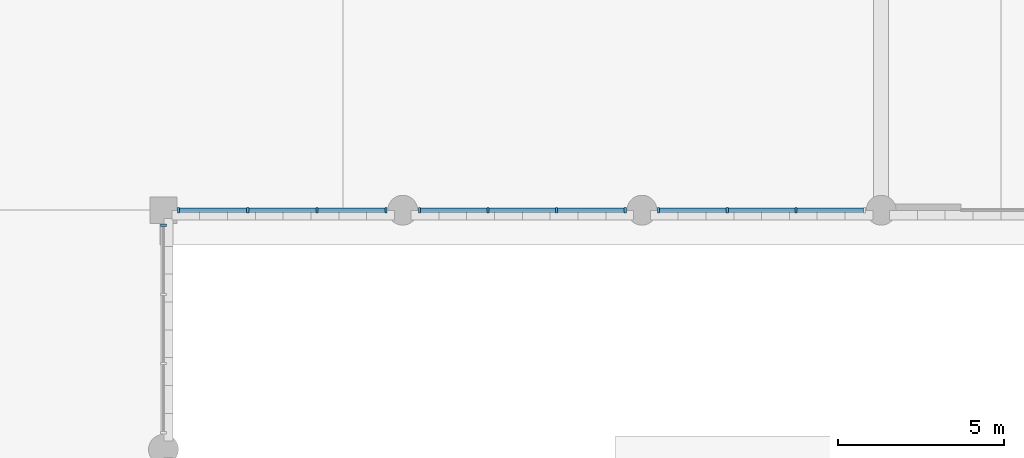
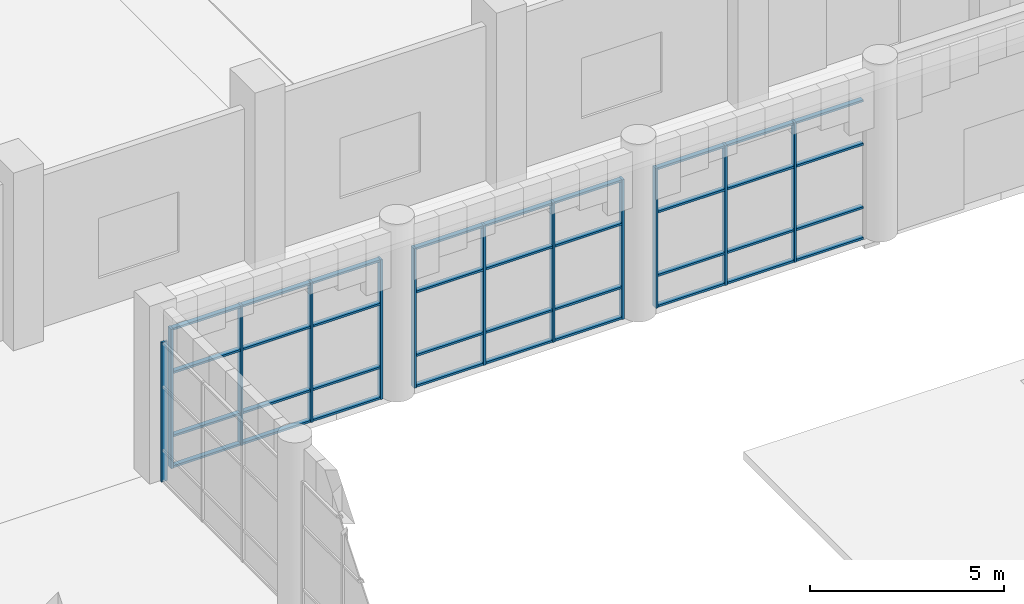
# One storey, part 21 of 85: 48 members, 4 elements without a shape of their own.
"""IFC4 building model written with IfcOpenShell, lengths in metres."""

from ifc_helpers import new_model, si_unit, direction, frame, origin, origin_2d, place, context, subcontext, project, spatial, rectangle, extrude, material, material_profile, profile_set, type_object, element, aggregate, save


model = new_model("IFC4")

# Units and contexts
model_context = context("Model", 3, precision=1e-05, world=origin(), true_north=direction((0.0, 1.0)))
body_context = subcontext(model_context, "Body", "Model", "MODEL_VIEW")
ifc_project = project(units=[si_unit("LENGTHUNIT", "METRE"), si_unit("AREAUNIT", "SQUARE_METRE"), si_unit("VOLUMEUNIT", "CUBIC_METRE"), si_unit("PLANEANGLEUNIT", "RADIAN"), si_unit("MASSUNIT", "GRAM", prefix="KILO")], contexts=[model_context])

# Site, building, storey
site_placement = place(None, origin())
site = spatial("IfcSite", under=ifc_project, at=site_placement, CompositionType="ELEMENT")
building_placement = place(site_placement, origin())
building = spatial("IfcBuilding", under=site, at=building_placement, Name="Sardonyx Promenade Sports Hall", CompositionType="ELEMENT")
storey_placement = place(building_placement, origin())
storey = spatial("IfcBuildingStorey", under=building, at=storey_placement, Name="L00", CompositionType="ELEMENT", Elevation=0.0)

# Curtain wall, members
ifc_material_1 = material(Name="Aluminium 6063-T6", Category="aluminium")
curtain_wall_type = type_object("IfcCurtainWallType", Name="CW_Riwaq_L00_640", PredefinedType="USERDEFINED", material=ifc_material_1)
curtain_wall_1_placement = place(storey_placement, origin())
curtain_wall_1 = element("IfcCurtainWall", 1, at=curtain_wall_1_placement, inside=storey, type_object=curtain_wall_type, Name="Curtain wall CW17 cw:L00:109", ObjectType="CURTAIN WALL", PredefinedType="USERDEFINED")
ifc_material_2 = material(Name="Aluminium 6063-T6", Category="aluminium")
ifc_material_profile_1 = material_profile(ifc_material_2, rectangle(XDim=0.06494140625, YDim=0.175048828125, at=origin_2d()))
ifc_profile_set_1 = profile_set([ifc_material_profile_1], Name="Aluminium 6063-T6")
member_type_1 = type_object("IfcMemberType", Name="CW_Mull_175", PredefinedType="MULLION", material=ifc_profile_set_1)
member_1_placement = place(storey_placement, frame((49.8974609375, 64.800048828125, 0.0), z_axis=(0.0, 0.0, 1.0), x_axis=(-1.0, 0.0, 0.0)))
member_1 = element("IfcMember", 2, at=member_1_placement, type_object=member_type_1, Name="Mullion CM02 cw:L00:109 #1", PredefinedType="MULLION", context=body_context, shape_type="SweptSolid", body=[
    extrude(rectangle(XDim=0.06494140625, YDim=0.175048828125, at=origin_2d()), origin(), (0.0, 0.0, 1.0), 4.39990234375),
])
member_2_placement = place(storey_placement, frame((47.81591796875, 64.800048828125, 0.0), z_axis=(0.0, 0.0, 1.0), x_axis=(-1.0, 0.0, 0.0)))
member_2 = element("IfcMember", 3, at=member_2_placement, type_object=member_type_1, Name="Mullion CM02 cw:L00:109 #2", PredefinedType="MULLION", context=body_context, shape_type="SweptSolid", body=[
    extrude(rectangle(XDim=0.06494140625, YDim=0.175048828125, at=origin_2d()), origin(), (0.0, 0.0, 1.0), 4.39990234375),
])
member_3_placement = place(storey_placement, frame((45.734130859375, 64.800048828125, 0.0), z_axis=(0.0, 0.0, 1.0), x_axis=(-1.0, 0.0, 0.0)))
member_3 = element("IfcMember", 4, at=member_3_placement, type_object=member_type_1, Name="Mullion CM02 cw:L00:109 #3", PredefinedType="MULLION", context=body_context, shape_type="SweptSolid", body=[
    extrude(rectangle(XDim=0.06494140625, YDim=0.175048828125, at=origin_2d()), origin(), (0.0, 0.0, 1.0), 4.39990234375),
])
member_4_placement = place(storey_placement, frame((43.652587890625, 64.800048828125, 0.0), z_axis=(0.0, 0.0, 1.0), x_axis=(-1.0, 0.0, 0.0)))
member_4 = element("IfcMember", 5, at=member_4_placement, type_object=member_type_1, Name="Mullion CM02 cw:L00:109 #4", PredefinedType="MULLION", context=body_context, shape_type="SweptSolid", body=[
    extrude(rectangle(XDim=0.06494140625, YDim=0.175048828125, at=origin_2d()), origin(), (0.0, 0.0, 1.0), 4.39990234375),
])

curtain_wall_2_placement = place(storey_placement, origin())
curtain_wall_2 = element("IfcCurtainWall", 6, at=curtain_wall_2_placement, inside=storey, type_object=curtain_wall_type, Name="Curtain wall CW17 cw:L00:111", ObjectType="CURTAIN WALL", PredefinedType="USERDEFINED")
member_5_placement = place(storey_placement, frame((57.097412109375, 64.800048828125, 0.0), z_axis=(0.0, 0.0, 1.0), x_axis=(-1.0, 0.0, 0.0)))
member_5 = element("IfcMember", 7, at=member_5_placement, type_object=member_type_1, Name="Mullion CM02 cw:L00:111 #1", PredefinedType="MULLION", context=body_context, shape_type="SweptSolid", body=[
    extrude(rectangle(XDim=0.06494140625, YDim=0.175048828125, at=origin_2d()), origin(), (0.0, 0.0, 1.0), 4.39990234375),
])
member_6_placement = place(storey_placement, frame((55.032470703125, 64.800048828125, 0.0), z_axis=(0.0, 0.0, 1.0), x_axis=(-1.0, 0.0, 0.0)))
member_6 = element("IfcMember", 8, at=member_6_placement, type_object=member_type_1, Name="Mullion CM02 cw:L00:111 #2", PredefinedType="MULLION", context=body_context, shape_type="SweptSolid", body=[
    extrude(rectangle(XDim=0.06494140625, YDim=0.175048828125, at=origin_2d()), origin(), (0.0, 0.0, 1.0), 4.39990234375),
])
member_7_placement = place(storey_placement, frame((52.967529296875, 64.800048828125, 0.0), z_axis=(0.0, 0.0, 1.0), x_axis=(-1.0, 0.0, 0.0)))
member_7 = element("IfcMember", 9, at=member_7_placement, type_object=member_type_1, Name="Mullion CM02 cw:L00:111 #3", PredefinedType="MULLION", context=body_context, shape_type="SweptSolid", body=[
    extrude(rectangle(XDim=0.06494140625, YDim=0.175048828125, at=origin_2d()), origin(), (0.0, 0.0, 1.0), 4.39990234375),
])
member_8_placement = place(storey_placement, frame((50.902587890625, 64.800048828125, 0.0), z_axis=(0.0, 0.0, 1.0), x_axis=(-1.0, 0.0, 0.0)))
member_8 = element("IfcMember", 10, at=member_8_placement, type_object=member_type_1, Name="Mullion CM02 cw:L00:111 #4", PredefinedType="MULLION", context=body_context, shape_type="SweptSolid", body=[
    extrude(rectangle(XDim=0.06494140625, YDim=0.175048828125, at=origin_2d()), origin(), (0.0, 0.0, 1.0), 4.39990234375),
])

curtain_wall_3_placement = place(storey_placement, origin())
curtain_wall_3 = element("IfcCurtainWall", 11, at=curtain_wall_3_placement, inside=storey, type_object=curtain_wall_type, Name="Curtain wall CW17 cw:L00:113", ObjectType="CURTAIN WALL", PredefinedType="USERDEFINED")
member_9_placement = place(storey_placement, frame((62.232421875, 64.800048828125, 0.0), z_axis=(0.0, 0.0, 1.0), x_axis=(-1.0, 0.0, 0.0)))
member_9 = element("IfcMember", 12, at=member_9_placement, type_object=member_type_1, Name="Mullion CM02 cw:L00:113 #2", PredefinedType="MULLION", context=body_context, shape_type="SweptSolid", body=[
    extrude(rectangle(XDim=0.06494140625, YDim=0.175048828125, at=origin_2d()), origin(), (0.0, 0.0, 1.0), 4.39990234375),
])
member_10_placement = place(storey_placement, frame((60.16748046875, 64.800048828125, 0.0), z_axis=(0.0, 0.0, 1.0), x_axis=(-1.0, 0.0, 0.0)))
member_10 = element("IfcMember", 13, at=member_10_placement, type_object=member_type_1, Name="Mullion CM02 cw:L00:113 #3", PredefinedType="MULLION", context=body_context, shape_type="SweptSolid", body=[
    extrude(rectangle(XDim=0.06494140625, YDim=0.175048828125, at=origin_2d()), origin(), (0.0, 0.0, 1.0), 4.39990234375),
])
member_11_placement = place(storey_placement, frame((58.1025390625, 64.800048828125, 0.0), z_axis=(0.0, 0.0, 1.0), x_axis=(-1.0, 0.0, 0.0)))
member_11 = element("IfcMember", 14, at=member_11_placement, type_object=member_type_1, Name="Mullion CM02 cw:L00:113 #4", PredefinedType="MULLION", context=body_context, shape_type="SweptSolid", body=[
    extrude(rectangle(XDim=0.06494140625, YDim=0.175048828125, at=origin_2d()), origin(), (0.0, 0.0, 1.0), 4.39990234375),
])

# Curtain wall, member
curtain_wall_4_placement = place(storey_placement, origin())
curtain_wall_4 = element("IfcCurtainWall", 15, at=curtain_wall_4_placement, inside=storey, type_object=curtain_wall_type, Name="Curtain wall CW17 cw:L00:124", ObjectType="CURTAIN WALL", PredefinedType="USERDEFINED")
member_12_placement = place(storey_placement, frame((43.199951171875, 64.347412109375, 0.0), z_axis=(0.0, 0.0, 1.0), x_axis=(0.0, -1.0, 0.0)))
member_12 = element("IfcMember", 16, at=member_12_placement, type_object=member_type_1, Name="Mullion CM02 cw:L00:124 #1", PredefinedType="MULLION", context=body_context, shape_type="SweptSolid", body=[
    extrude(rectangle(XDim=0.06494140625, YDim=0.175048828125, at=origin_2d()), origin(), (0.0, 0.0, 1.0), 4.39990234375),
])
aggregate(curtain_wall_4, [member_12])

# Member
ifc_material_3 = material(Name="Aluminium 6063-T6", Category="aluminium")
ifc_material_profile_2 = material_profile(ifc_material_3, rectangle(XDim=0.06494140625, YDim=0.139892578125, at=origin_2d()))
ifc_profile_set_2 = profile_set([ifc_material_profile_2], Name="Aluminium 6063-T6")
member_type_2 = type_object("IfcMemberType", Name="CW_Tran_140", PredefinedType="USERDEFINED", material=ifc_profile_set_2)
member_13_placement = place(storey_placement, frame((49.864990234375, 64.800048828125, 0.032470703125), z_axis=(-1.0, 0.0, 0.0), x_axis=(0.0, 0.0, 1.0)))
member_13 = element("IfcMember", 17, at=member_13_placement, type_object=member_type_2, Name="Transom CT02 cw:L00:109 #1", ObjectType="TRANSOM", PredefinedType="USERDEFINED", context=body_context, shape_type="SweptSolid", body=[
    extrude(rectangle(XDim=0.06494140625, YDim=0.139892578125, at=origin_2d()), origin(), (0.0, 0.0, 1.0), 2.0166015625),
])

member_14_placement = place(storey_placement, frame((49.864990234375, 64.800048828125, 1.0), z_axis=(-1.0, 0.0, 0.0), x_axis=(0.0, 0.0, 1.0)))
member_14 = element("IfcMember", 18, at=member_14_placement, type_object=member_type_2, Name="Transom CT02 cw:L00:109 #2", ObjectType="TRANSOM", PredefinedType="USERDEFINED", context=body_context, shape_type="SweptSolid", body=[
    extrude(rectangle(XDim=0.06494140625, YDim=0.139892578125, at=origin_2d()), origin(), (0.0, 0.0, 1.0), 2.0166015625),
])

member_15_placement = place(storey_placement, frame((49.864990234375, 64.800048828125, 3.0), z_axis=(-1.0, 0.0, 0.0), x_axis=(0.0, 0.0, 1.0)))
member_15 = element("IfcMember", 19, at=member_15_placement, type_object=member_type_2, Name="Transom CT02 cw:L00:109 #3", ObjectType="TRANSOM", PredefinedType="USERDEFINED", context=body_context, shape_type="SweptSolid", body=[
    extrude(rectangle(XDim=0.06494140625, YDim=0.139892578125, at=origin_2d()), origin(), (0.0, 0.0, 1.0), 2.0166015625),
])

member_16_placement = place(storey_placement, frame((49.864990234375, 64.800048828125, 4.367431640625), z_axis=(-1.0, 0.0, 0.0), x_axis=(0.0, 0.0, 1.0)))
member_16 = element("IfcMember", 20, at=member_16_placement, type_object=member_type_2, Name="Transom CT02 cw:L00:109 #4", ObjectType="TRANSOM", PredefinedType="USERDEFINED", context=body_context, shape_type="SweptSolid", body=[
    extrude(rectangle(XDim=0.06494140625, YDim=0.139892578125, at=origin_2d()), origin(), (0.0, 0.0, 1.0), 2.0166015625),
])

member_17_placement = place(storey_placement, frame((47.783447265625, 64.800048828125, 0.032470703125), z_axis=(-1.0, 0.0, 0.0), x_axis=(0.0, 0.0, 1.0)))
member_17 = element("IfcMember", 21, at=member_17_placement, type_object=member_type_2, Name="Transom CT02 cw:L00:109 #5", ObjectType="TRANSOM", PredefinedType="USERDEFINED", context=body_context, shape_type="SweptSolid", body=[
    extrude(rectangle(XDim=0.06494140625, YDim=0.139892578125, at=origin_2d()), origin(), (0.0, 0.0, 1.0), 2.016845703125),
])

member_18_placement = place(storey_placement, frame((47.783447265625, 64.800048828125, 1.0), z_axis=(-1.0, 0.0, 0.0), x_axis=(0.0, 0.0, 1.0)))
member_18 = element("IfcMember", 22, at=member_18_placement, type_object=member_type_2, Name="Transom CT02 cw:L00:109 #6", ObjectType="TRANSOM", PredefinedType="USERDEFINED", context=body_context, shape_type="SweptSolid", body=[
    extrude(rectangle(XDim=0.06494140625, YDim=0.139892578125, at=origin_2d()), origin(), (0.0, 0.0, 1.0), 2.016845703125),
])

member_19_placement = place(storey_placement, frame((47.783447265625, 64.800048828125, 3.0), z_axis=(-1.0, 0.0, 0.0), x_axis=(0.0, 0.0, 1.0)))
member_19 = element("IfcMember", 23, at=member_19_placement, type_object=member_type_2, Name="Transom CT02 cw:L00:109 #7", ObjectType="TRANSOM", PredefinedType="USERDEFINED", context=body_context, shape_type="SweptSolid", body=[
    extrude(rectangle(XDim=0.06494140625, YDim=0.139892578125, at=origin_2d()), origin(), (0.0, 0.0, 1.0), 2.016845703125),
])

member_20_placement = place(storey_placement, frame((47.783447265625, 64.800048828125, 4.367431640625), z_axis=(-1.0, 0.0, 0.0), x_axis=(0.0, 0.0, 1.0)))
member_20 = element("IfcMember", 24, at=member_20_placement, type_object=member_type_2, Name="Transom CT02 cw:L00:109 #8", ObjectType="TRANSOM", PredefinedType="USERDEFINED", context=body_context, shape_type="SweptSolid", body=[
    extrude(rectangle(XDim=0.06494140625, YDim=0.139892578125, at=origin_2d()), origin(), (0.0, 0.0, 1.0), 2.016845703125),
])

member_21_placement = place(storey_placement, frame((45.70166015625, 64.800048828125, 0.032470703125), z_axis=(-1.0, 0.0, 0.0), x_axis=(0.0, 0.0, 1.0)))
member_21 = element("IfcMember", 25, at=member_21_placement, type_object=member_type_2, Name="Transom CT02 cw:L00:109 #9", ObjectType="TRANSOM", PredefinedType="USERDEFINED", context=body_context, shape_type="SweptSolid", body=[
    extrude(rectangle(XDim=0.06494140625, YDim=0.139892578125, at=origin_2d()), origin(), (0.0, 0.0, 1.0), 2.0166015625),
])

member_22_placement = place(storey_placement, frame((45.70166015625, 64.800048828125, 1.0), z_axis=(-1.0, 0.0, 0.0), x_axis=(0.0, 0.0, 1.0)))
member_22 = element("IfcMember", 26, at=member_22_placement, type_object=member_type_2, Name="Transom CT02 cw:L00:109 #10", ObjectType="TRANSOM", PredefinedType="USERDEFINED", context=body_context, shape_type="SweptSolid", body=[
    extrude(rectangle(XDim=0.06494140625, YDim=0.139892578125, at=origin_2d()), origin(), (0.0, 0.0, 1.0), 2.0166015625),
])

member_23_placement = place(storey_placement, frame((45.70166015625, 64.800048828125, 3.0), z_axis=(-1.0, 0.0, 0.0), x_axis=(0.0, 0.0, 1.0)))
member_23 = element("IfcMember", 27, at=member_23_placement, type_object=member_type_2, Name="Transom CT02 cw:L00:109 #11", ObjectType="TRANSOM", PredefinedType="USERDEFINED", context=body_context, shape_type="SweptSolid", body=[
    extrude(rectangle(XDim=0.06494140625, YDim=0.139892578125, at=origin_2d()), origin(), (0.0, 0.0, 1.0), 2.0166015625),
])

member_24_placement = place(storey_placement, frame((45.70166015625, 64.800048828125, 4.367431640625), z_axis=(-1.0, 0.0, 0.0), x_axis=(0.0, 0.0, 1.0)))
member_24 = element("IfcMember", 28, at=member_24_placement, type_object=member_type_2, Name="Transom CT02 cw:L00:109 #12", ObjectType="TRANSOM", PredefinedType="USERDEFINED", context=body_context, shape_type="SweptSolid", body=[
    extrude(rectangle(XDim=0.06494140625, YDim=0.139892578125, at=origin_2d()), origin(), (0.0, 0.0, 1.0), 2.0166015625),
])

aggregate(curtain_wall_1, [member_1, member_2, member_3, member_4, member_13, member_14, member_15, member_16, member_17, member_18, member_19, member_20, member_21, member_22, member_23, member_24])

member_25_placement = place(storey_placement, frame((57.06494140625, 64.800048828125, 0.032470703125), z_axis=(-1.0, 0.0, 0.0), x_axis=(0.0, 0.0, 1.0)))
member_25 = element("IfcMember", 29, at=member_25_placement, type_object=member_type_2, Name="Transom CT02 cw:L00:111 #1", ObjectType="TRANSOM", PredefinedType="USERDEFINED", context=body_context, shape_type="SweptSolid", body=[
    extrude(rectangle(XDim=0.06494140625, YDim=0.139892578125, at=origin_2d()), origin(), (0.0, 0.0, 1.0), 2.0),
])

member_26_placement = place(storey_placement, frame((57.06494140625, 64.800048828125, 1.0), z_axis=(-1.0, 0.0, 0.0), x_axis=(0.0, 0.0, 1.0)))
member_26 = element("IfcMember", 30, at=member_26_placement, type_object=member_type_2, Name="Transom CT02 cw:L00:111 #2", ObjectType="TRANSOM", PredefinedType="USERDEFINED", context=body_context, shape_type="SweptSolid", body=[
    extrude(rectangle(XDim=0.06494140625, YDim=0.139892578125, at=origin_2d()), origin(), (0.0, 0.0, 1.0), 2.0),
])

member_27_placement = place(storey_placement, frame((57.06494140625, 64.800048828125, 3.0), z_axis=(-1.0, 0.0, 0.0), x_axis=(0.0, 0.0, 1.0)))
member_27 = element("IfcMember", 31, at=member_27_placement, type_object=member_type_2, Name="Transom CT02 cw:L00:111 #3", ObjectType="TRANSOM", PredefinedType="USERDEFINED", context=body_context, shape_type="SweptSolid", body=[
    extrude(rectangle(XDim=0.06494140625, YDim=0.139892578125, at=origin_2d()), origin(), (0.0, 0.0, 1.0), 2.0),
])

member_28_placement = place(storey_placement, frame((57.06494140625, 64.800048828125, 4.367431640625), z_axis=(-1.0, 0.0, 0.0), x_axis=(0.0, 0.0, 1.0)))
member_28 = element("IfcMember", 32, at=member_28_placement, type_object=member_type_2, Name="Transom CT02 cw:L00:111 #4", ObjectType="TRANSOM", PredefinedType="USERDEFINED", context=body_context, shape_type="SweptSolid", body=[
    extrude(rectangle(XDim=0.06494140625, YDim=0.139892578125, at=origin_2d()), origin(), (0.0, 0.0, 1.0), 2.0),
])

member_29_placement = place(storey_placement, frame((55.0, 64.800048828125, 0.032470703125), z_axis=(-1.0, 0.0, 0.0), x_axis=(0.0, 0.0, 1.0)))
member_29 = element("IfcMember", 33, at=member_29_placement, type_object=member_type_2, Name="Transom CT02 cw:L00:111 #5", ObjectType="TRANSOM", PredefinedType="USERDEFINED", context=body_context, shape_type="SweptSolid", body=[
    extrude(rectangle(XDim=0.06494140625, YDim=0.139892578125, at=origin_2d()), origin(), (0.0, 0.0, 1.0), 2.0),
])

member_30_placement = place(storey_placement, frame((55.0, 64.800048828125, 1.0), z_axis=(-1.0, 0.0, 0.0), x_axis=(0.0, 0.0, 1.0)))
member_30 = element("IfcMember", 34, at=member_30_placement, type_object=member_type_2, Name="Transom CT02 cw:L00:111 #6", ObjectType="TRANSOM", PredefinedType="USERDEFINED", context=body_context, shape_type="SweptSolid", body=[
    extrude(rectangle(XDim=0.06494140625, YDim=0.139892578125, at=origin_2d()), origin(), (0.0, 0.0, 1.0), 2.0),
])

member_31_placement = place(storey_placement, frame((55.0, 64.800048828125, 3.0), z_axis=(-1.0, 0.0, 0.0), x_axis=(0.0, 0.0, 1.0)))
member_31 = element("IfcMember", 35, at=member_31_placement, type_object=member_type_2, Name="Transom CT02 cw:L00:111 #7", ObjectType="TRANSOM", PredefinedType="USERDEFINED", context=body_context, shape_type="SweptSolid", body=[
    extrude(rectangle(XDim=0.06494140625, YDim=0.139892578125, at=origin_2d()), origin(), (0.0, 0.0, 1.0), 2.0),
])

member_32_placement = place(storey_placement, frame((55.0, 64.800048828125, 4.367431640625), z_axis=(-1.0, 0.0, 0.0), x_axis=(0.0, 0.0, 1.0)))
member_32 = element("IfcMember", 36, at=member_32_placement, type_object=member_type_2, Name="Transom CT02 cw:L00:111 #8", ObjectType="TRANSOM", PredefinedType="USERDEFINED", context=body_context, shape_type="SweptSolid", body=[
    extrude(rectangle(XDim=0.06494140625, YDim=0.139892578125, at=origin_2d()), origin(), (0.0, 0.0, 1.0), 2.0),
])

member_33_placement = place(storey_placement, frame((52.93505859375, 64.800048828125, 0.032470703125), z_axis=(-1.0, 0.0, 0.0), x_axis=(0.0, 0.0, 1.0)))
member_33 = element("IfcMember", 37, at=member_33_placement, type_object=member_type_2, Name="Transom CT02 cw:L00:111 #9", ObjectType="TRANSOM", PredefinedType="USERDEFINED", context=body_context, shape_type="SweptSolid", body=[
    extrude(rectangle(XDim=0.06494140625, YDim=0.139892578125, at=origin_2d()), origin(), (0.0, 0.0, 1.0), 2.0),
])

member_34_placement = place(storey_placement, frame((52.93505859375, 64.800048828125, 1.0), z_axis=(-1.0, 0.0, 0.0), x_axis=(0.0, 0.0, 1.0)))
member_34 = element("IfcMember", 38, at=member_34_placement, type_object=member_type_2, Name="Transom CT02 cw:L00:111 #10", ObjectType="TRANSOM", PredefinedType="USERDEFINED", context=body_context, shape_type="SweptSolid", body=[
    extrude(rectangle(XDim=0.06494140625, YDim=0.139892578125, at=origin_2d()), origin(), (0.0, 0.0, 1.0), 2.0),
])

member_35_placement = place(storey_placement, frame((52.93505859375, 64.800048828125, 3.0), z_axis=(-1.0, 0.0, 0.0), x_axis=(0.0, 0.0, 1.0)))
member_35 = element("IfcMember", 39, at=member_35_placement, type_object=member_type_2, Name="Transom CT02 cw:L00:111 #11", ObjectType="TRANSOM", PredefinedType="USERDEFINED", context=body_context, shape_type="SweptSolid", body=[
    extrude(rectangle(XDim=0.06494140625, YDim=0.139892578125, at=origin_2d()), origin(), (0.0, 0.0, 1.0), 2.0),
])

member_36_placement = place(storey_placement, frame((52.93505859375, 64.800048828125, 4.367431640625), z_axis=(-1.0, 0.0, 0.0), x_axis=(0.0, 0.0, 1.0)))
member_36 = element("IfcMember", 40, at=member_36_placement, type_object=member_type_2, Name="Transom CT02 cw:L00:111 #12", ObjectType="TRANSOM", PredefinedType="USERDEFINED", context=body_context, shape_type="SweptSolid", body=[
    extrude(rectangle(XDim=0.06494140625, YDim=0.139892578125, at=origin_2d()), origin(), (0.0, 0.0, 1.0), 2.0),
])

aggregate(curtain_wall_2, [member_5, member_6, member_7, member_8, member_25, member_26, member_27, member_28, member_29, member_30, member_31, member_32, member_33, member_34, member_35, member_36])

member_37_placement = place(storey_placement, frame((64.264892578125, 64.800048828125, 0.032470703125), z_axis=(-1.0, 0.0, 0.0), x_axis=(0.0, 0.0, 1.0)))
member_37 = element("IfcMember", 41, at=member_37_placement, type_object=member_type_2, Name="Transom CT02 cw:L00:113 #1", ObjectType="TRANSOM", PredefinedType="USERDEFINED", context=body_context, shape_type="SweptSolid", body=[
    extrude(rectangle(XDim=0.06494140625, YDim=0.139892578125, at=origin_2d()), origin(), (0.0, 0.0, 1.0), 2.0),
])

member_38_placement = place(storey_placement, frame((64.264892578125, 64.800048828125, 1.0), z_axis=(-1.0, 0.0, 0.0), x_axis=(0.0, 0.0, 1.0)))
member_38 = element("IfcMember", 42, at=member_38_placement, type_object=member_type_2, Name="Transom CT02 cw:L00:113 #2", ObjectType="TRANSOM", PredefinedType="USERDEFINED", context=body_context, shape_type="SweptSolid", body=[
    extrude(rectangle(XDim=0.06494140625, YDim=0.139892578125, at=origin_2d()), origin(), (0.0, 0.0, 1.0), 2.0),
])

member_39_placement = place(storey_placement, frame((64.264892578125, 64.800048828125, 3.0), z_axis=(-1.0, 0.0, 0.0), x_axis=(0.0, 0.0, 1.0)))
member_39 = element("IfcMember", 43, at=member_39_placement, type_object=member_type_2, Name="Transom CT02 cw:L00:113 #3", ObjectType="TRANSOM", PredefinedType="USERDEFINED", context=body_context, shape_type="SweptSolid", body=[
    extrude(rectangle(XDim=0.06494140625, YDim=0.139892578125, at=origin_2d()), origin(), (0.0, 0.0, 1.0), 2.0),
])

member_40_placement = place(storey_placement, frame((64.264892578125, 64.800048828125, 4.367431640625), z_axis=(-1.0, 0.0, 0.0), x_axis=(0.0, 0.0, 1.0)))
member_40 = element("IfcMember", 44, at=member_40_placement, type_object=member_type_2, Name="Transom CT02 cw:L00:113 #4", ObjectType="TRANSOM", PredefinedType="USERDEFINED", context=body_context, shape_type="SweptSolid", body=[
    extrude(rectangle(XDim=0.06494140625, YDim=0.139892578125, at=origin_2d()), origin(), (0.0, 0.0, 1.0), 2.0),
])

member_41_placement = place(storey_placement, frame((62.199951171875, 64.800048828125, 0.032470703125), z_axis=(-1.0, 0.0, 0.0), x_axis=(0.0, 0.0, 1.0)))
member_41 = element("IfcMember", 45, at=member_41_placement, type_object=member_type_2, Name="Transom CT02 cw:L00:113 #5", ObjectType="TRANSOM", PredefinedType="USERDEFINED", context=body_context, shape_type="SweptSolid", body=[
    extrude(rectangle(XDim=0.06494140625, YDim=0.139892578125, at=origin_2d()), origin(), (0.0, 0.0, 1.0), 2.0),
])

member_42_placement = place(storey_placement, frame((62.199951171875, 64.800048828125, 1.0), z_axis=(-1.0, 0.0, 0.0), x_axis=(0.0, 0.0, 1.0)))
member_42 = element("IfcMember", 46, at=member_42_placement, type_object=member_type_2, Name="Transom CT02 cw:L00:113 #6", ObjectType="TRANSOM", PredefinedType="USERDEFINED", context=body_context, shape_type="SweptSolid", body=[
    extrude(rectangle(XDim=0.06494140625, YDim=0.139892578125, at=origin_2d()), origin(), (0.0, 0.0, 1.0), 2.0),
])

member_43_placement = place(storey_placement, frame((62.199951171875, 64.800048828125, 3.0), z_axis=(-1.0, 0.0, 0.0), x_axis=(0.0, 0.0, 1.0)))
member_43 = element("IfcMember", 47, at=member_43_placement, type_object=member_type_2, Name="Transom CT02 cw:L00:113 #7", ObjectType="TRANSOM", PredefinedType="USERDEFINED", context=body_context, shape_type="SweptSolid", body=[
    extrude(rectangle(XDim=0.06494140625, YDim=0.139892578125, at=origin_2d()), origin(), (0.0, 0.0, 1.0), 2.0),
])

member_44_placement = place(storey_placement, frame((62.199951171875, 64.800048828125, 4.367431640625), z_axis=(-1.0, 0.0, 0.0), x_axis=(0.0, 0.0, 1.0)))
member_44 = element("IfcMember", 48, at=member_44_placement, type_object=member_type_2, Name="Transom CT02 cw:L00:113 #8", ObjectType="TRANSOM", PredefinedType="USERDEFINED", context=body_context, shape_type="SweptSolid", body=[
    extrude(rectangle(XDim=0.06494140625, YDim=0.139892578125, at=origin_2d()), origin(), (0.0, 0.0, 1.0), 2.0),
])

member_45_placement = place(storey_placement, frame((60.135009765625, 64.800048828125, 0.032470703125), z_axis=(-1.0, 0.0, 0.0), x_axis=(0.0, 0.0, 1.0)))
member_45 = element("IfcMember", 49, at=member_45_placement, type_object=member_type_2, Name="Transom CT02 cw:L00:113 #9", ObjectType="TRANSOM", PredefinedType="USERDEFINED", context=body_context, shape_type="SweptSolid", body=[
    extrude(rectangle(XDim=0.06494140625, YDim=0.139892578125, at=origin_2d()), origin(), (0.0, 0.0, 1.0), 2.0),
])

member_46_placement = place(storey_placement, frame((60.135009765625, 64.800048828125, 1.0), z_axis=(-1.0, 0.0, 0.0), x_axis=(0.0, 0.0, 1.0)))
member_46 = element("IfcMember", 50, at=member_46_placement, type_object=member_type_2, Name="Transom CT02 cw:L00:113 #10", ObjectType="TRANSOM", PredefinedType="USERDEFINED", context=body_context, shape_type="SweptSolid", body=[
    extrude(rectangle(XDim=0.06494140625, YDim=0.139892578125, at=origin_2d()), origin(), (0.0, 0.0, 1.0), 2.0),
])

member_47_placement = place(storey_placement, frame((60.135009765625, 64.800048828125, 3.0), z_axis=(-1.0, 0.0, 0.0), x_axis=(0.0, 0.0, 1.0)))
member_47 = element("IfcMember", 51, at=member_47_placement, type_object=member_type_2, Name="Transom CT02 cw:L00:113 #11", ObjectType="TRANSOM", PredefinedType="USERDEFINED", context=body_context, shape_type="SweptSolid", body=[
    extrude(rectangle(XDim=0.06494140625, YDim=0.139892578125, at=origin_2d()), origin(), (0.0, 0.0, 1.0), 2.0),
])

member_48_placement = place(storey_placement, frame((60.135009765625, 64.800048828125, 4.367431640625), z_axis=(-1.0, 0.0, 0.0), x_axis=(0.0, 0.0, 1.0)))
member_48 = element("IfcMember", 52, at=member_48_placement, type_object=member_type_2, Name="Transom CT02 cw:L00:113 #12", ObjectType="TRANSOM", PredefinedType="USERDEFINED", context=body_context, shape_type="SweptSolid", body=[
    extrude(rectangle(XDim=0.06494140625, YDim=0.139892578125, at=origin_2d()), origin(), (0.0, 0.0, 1.0), 2.0),
])

aggregate(curtain_wall_3, [member_9, member_10, member_11, member_37, member_38, member_39, member_40, member_41, member_42, member_43, member_44, member_45, member_46, member_47, member_48])

save(model, "model.ifc")
